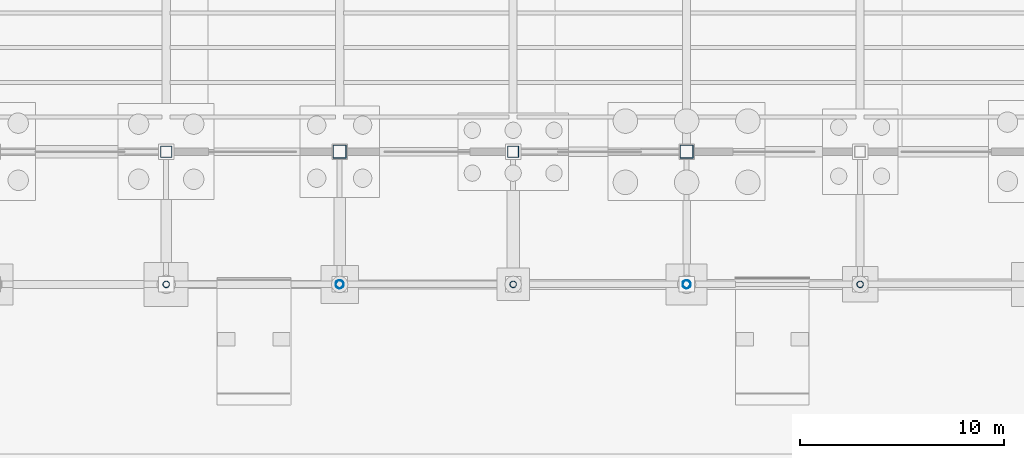
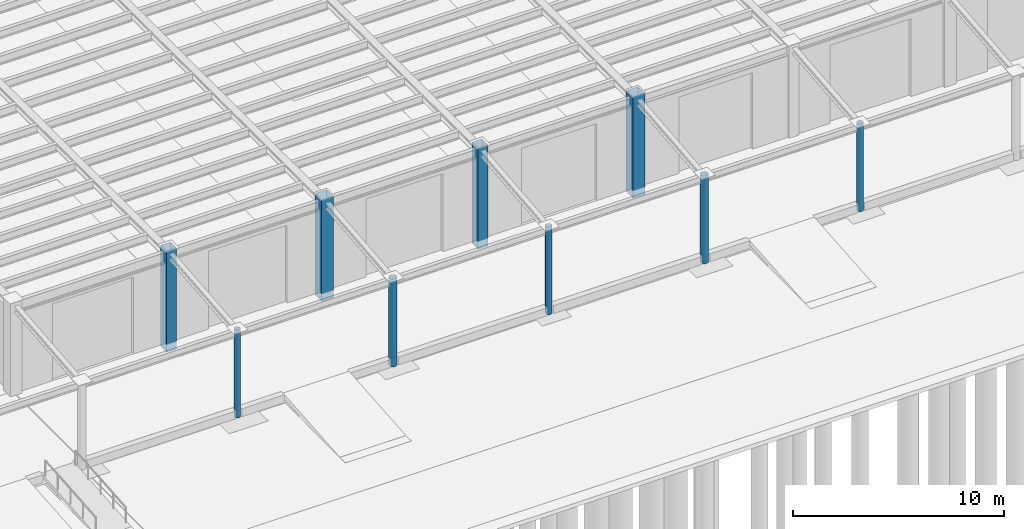
# One storey, part 15 of 86: 9 columns.
"""IFC4 building model written with IfcOpenShell, lengths in metres."""

from ifc_helpers import new_model, si_unit, direction, frame, origin, origin_2d, place, context, subcontext, project, spatial, hollow_rectangle, hollow_circle, extrude, material, material_profile, profile_set, type_object, element, save


model = new_model("IFC4")

# Units and contexts
model_context = context("Model", 3, precision=1e-05, world=origin(), true_north=direction((0.0, 1.0)))
body_context = subcontext(model_context, "Body", "Model", "MODEL_VIEW")
ifc_project = project(units=[si_unit("LENGTHUNIT", "METRE"), si_unit("AREAUNIT", "SQUARE_METRE"), si_unit("VOLUMEUNIT", "CUBIC_METRE"), si_unit("PLANEANGLEUNIT", "RADIAN"), si_unit("MASSUNIT", "GRAM", prefix="KILO"), si_unit("THERMODYNAMICTEMPERATUREUNIT", "KELVIN"), si_unit("POWERUNIT", "WATT")], contexts=[model_context])

# Site, building, storey
site_placement = place(None, origin())
site = spatial("IfcSite", under=ifc_project, at=site_placement, CompositionType="ELEMENT")
building_placement = place(site_placement, origin())
building = spatial("IfcBuilding", under=site, at=building_placement, Name="Zhenchuan Central Fire Station", CompositionType="ELEMENT")
storey_placement = place(building_placement, frame((0.0, 0.0, 0.449951171875)))
storey = spatial("IfcBuildingStorey", under=building, at=storey_placement, Name="L01", CompositionType="ELEMENT", Elevation=0.449951171875)

# Columns
ifc_material = material(Name="Steel Q355B", Category="steel")
ifc_material_profile_1 = material_profile(ifc_material, hollow_rectangle(XDim=0.550048828125, YDim=0.550048828125, WallThickness=0.02587890625, at=origin_2d()), Name="BOX 550x550x26")
ifc_profile_set_1 = profile_set([ifc_material_profile_1], Name="Steel Q355B")
column_type_1 = type_object("IfcColumnType", Name="COL-BOX550", PredefinedType="COLUMN", material=ifc_profile_set_1)
for number, where, z_axis, x_axis, name in (
    (1, (64.5, 6.5, -0.449951171875), (0.0, 0.0, 1.0), (1.0, 0.0, 0.0), "L01 Column 071"),
    (2, (81.5, 6.5, -0.449951171875), (0.0, 0.0, 1.0), (1.0, 0.0, 0.0), "L01 Column 077"),
):
    element("IfcColumn", number, at=place(storey_placement, frame(where, z_axis=z_axis, x_axis=x_axis)), inside=storey, type_object=column_type_1, Name=name, PredefinedType="COLUMN", context=body_context, shape_type="SweptSolid", body=[
        extrude(hollow_rectangle(XDim=0.550048828125, YDim=0.550048828125, WallThickness=0.02587890625, at=origin_2d()), origin(), (0.0, 0.0, 1.0), 5.85009765625),
    ])
ifc_material_profile_2 = material_profile(ifc_material, hollow_rectangle(XDim=0.64990234375, YDim=0.64990234375, WallThickness=0.031982421875, at=origin_2d()), Name="BOX 650x650x32")
ifc_profile_set_2 = profile_set([ifc_material_profile_2], Name="Steel Q355B")
column_type_2 = type_object("IfcColumnType", Name="COL-BOX650", PredefinedType="COLUMN", material=ifc_profile_set_2)
for number, where, z_axis, x_axis, name in (
    (3, (73.0, 6.5, -0.449951171875), (0.0, 0.0, 1.0), (1.0, 0.0, 0.0), "L01 Column 074"),
    (4, (90.0, 6.5, -0.449951171875), (0.0, 0.0, 1.0), (1.0, 0.0, 0.0), "L01 Column 080"),
):
    element("IfcColumn", number, at=place(storey_placement, frame(where, z_axis=z_axis, x_axis=x_axis)), inside=storey, type_object=column_type_2, Name=name, PredefinedType="COLUMN", context=body_context, shape_type="SweptSolid", body=[
        extrude(hollow_rectangle(XDim=0.64990234375, YDim=0.64990234375, WallThickness=0.031982421875, at=origin_2d()), origin(), (0.0, 0.0, 1.0), 5.85009765625),
    ])
ifc_material_profile_3 = material_profile(ifc_material, hollow_circle(Radius=0.161865234375, WallThickness=0.013916015625, at=origin_2d()), Name="CHS 323.9x14")
ifc_profile_set_3 = profile_set([ifc_material_profile_3], Name="Steel Q355B")
column_type_3 = type_object("IfcColumnType", Name="COL-CHS324", PredefinedType="COLUMN", material=ifc_profile_set_3)
for number, where, z_axis, x_axis, name in (
    (5, (64.5, 0.0, -0.449951171875), (0.0, 0.0, 1.0), (1.0, 0.0, 0.0), "L01 Column 070"),
    (6, (81.5, 0.0, -0.449951171875), (0.0, 0.0, 1.0), (1.0, 0.0, 0.0), "L01 Column 076"),
    (7, (98.5, 0.0, -0.449951171875), (0.0, 0.0, 1.0), (1.0, 0.0, 0.0), "L01 Column 082"),
):
    element("IfcColumn", number, at=place(storey_placement, frame(where, z_axis=z_axis, x_axis=x_axis)), inside=storey, type_object=column_type_3, Name=name, PredefinedType="COLUMN", context=body_context, shape_type="SweptSolid", body=[
        extrude(hollow_circle(Radius=0.161865234375, WallThickness=0.013916015625, at=origin_2d()), origin(), (0.0, 0.0, 1.0), 5.06005859375),
    ])
ifc_material_profile_4 = material_profile(ifc_material, hollow_circle(Radius=0.203125, WallThickness=0.01611328125, at=origin_2d()), Name="CHS 406.4x16")
ifc_profile_set_4 = profile_set([ifc_material_profile_4], Name="Steel Q355B")
column_type_4 = type_object("IfcColumnType", Name="COL-CHS406", PredefinedType="COLUMN", material=ifc_profile_set_4)
for number, where, z_axis, x_axis, name in (
    (8, (73.0, 0.0, -0.449951171875), (0.0, 0.0, 1.0), (1.0, 0.0, 0.0), "L01 Column 073"),
    (9, (90.0, 0.0, -0.449951171875), (0.0, 0.0, 1.0), (1.0, 0.0, 0.0), "L01 Column 079"),
):
    element("IfcColumn", number, at=place(storey_placement, frame(where, z_axis=z_axis, x_axis=x_axis)), inside=storey, type_object=column_type_4, Name=name, PredefinedType="COLUMN", context=body_context, shape_type="SweptSolid", body=[
        extrude(hollow_circle(Radius=0.203125, WallThickness=0.01611328125, at=origin_2d()), origin(), (0.0, 0.0, 1.0), 5.06005859375),
    ])

save(model, "model.ifc")
